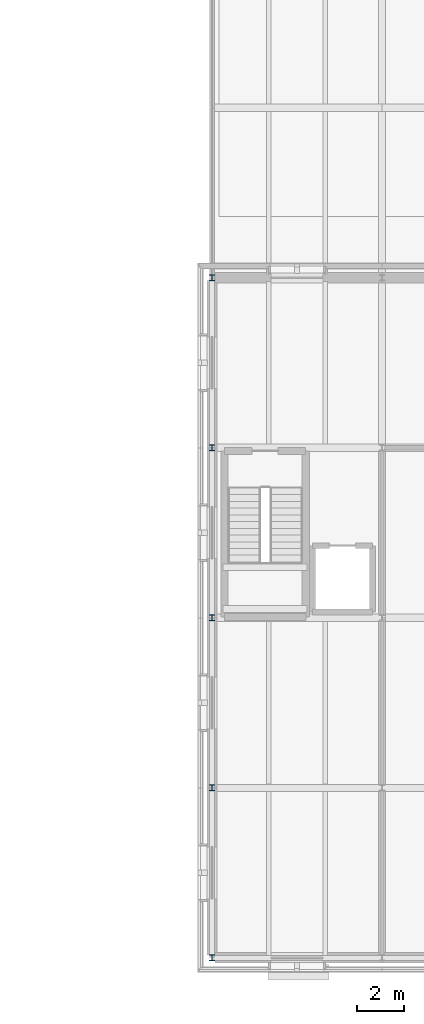
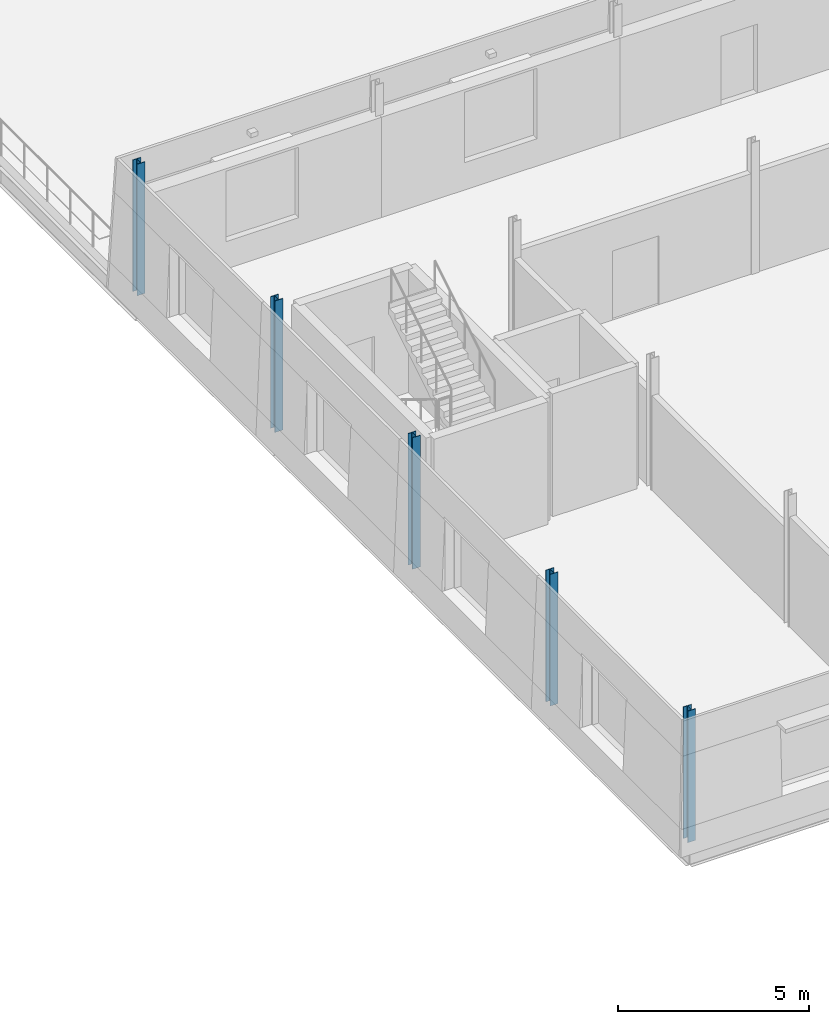
# One storey, part 4 of 115: 5 columns.
"""IFC4 building model written with IfcOpenShell, lengths in metres."""

from ifc_helpers import new_model, si_unit, direction, frame, origin, origin_2d, place, context, subcontext, project, spatial, i_section, extrude, material, material_profile, profile_set, type_object, element, save


model = new_model("IFC4")

# Units and contexts
model_context = context("Model", 3, precision=1e-05, world=origin(), true_north=direction((0.0, 1.0)))
body_context = subcontext(model_context, "Body", "Model", "MODEL_VIEW")
ifc_project = project(units=[si_unit("LENGTHUNIT", "METRE"), si_unit("AREAUNIT", "SQUARE_METRE"), si_unit("VOLUMEUNIT", "CUBIC_METRE"), si_unit("PLANEANGLEUNIT", "RADIAN"), si_unit("MASSUNIT", "GRAM", prefix="KILO")], contexts=[model_context])

# Site, building, storey
site_placement = place(None, origin())
site = spatial("IfcSite", under=ifc_project, at=site_placement, CompositionType="ELEMENT")
building_placement = place(site_placement, origin())
building = spatial("IfcBuilding", under=site, at=building_placement, Name="Narikvali Park Central Library", CompositionType="ELEMENT")
storey_placement = place(building_placement, frame((0.0, 0.0, 10.199951171875)))
storey = spatial("IfcBuildingStorey", under=building, at=storey_placement, Name="L02", CompositionType="ELEMENT", Elevation=10.199951171875)

# Columns
ifc_material = material(Name="Steel S355", Category="steel")
ifc_material_profile = material_profile(ifc_material, i_section(OverallWidth=0.239990234375, OverallDepth=0.239990234375, WebThickness=0.010009765625, FlangeThickness=0.01708984375, FilletRadius=0.02099609375, at=origin_2d()), Name="HEB 240")
ifc_profile_set = profile_set([ifc_material_profile], Name="Steel S355")
column_type = type_object("IfcColumnType", Name="Steel Column HEB240", PredefinedType="COLUMN", material=ifc_profile_set)
for number, where, z_axis, x_axis, name in (
    (1, (122.39990234375, 0.0, 0.0), (0.0, 0.0, 1.0), (1.0, 0.0, 0.0), "V6 L02 Column (122.4,0.0)"),
    (2, (122.39990234375, 7.199951171875, 0.0), (0.0, 0.0, 1.0), (1.0, 0.0, 0.0), "V6 L02 Column (122.4,7.2)"),
    (3, (122.39990234375, 14.39990234375, 0.0), (0.0, 0.0, 1.0), (1.0, 0.0, 0.0), "V6 L02 Column (122.4,14.4)"),
    (4, (122.39990234375, 21.60009765625, 0.0), (0.0, 0.0, 1.0), (1.0, 0.0, 0.0), "V6 L02 Column (122.4,21.6)"),
    (5, (122.39990234375, 28.800048828125, 0.0), (0.0, 0.0, 1.0), (1.0, 0.0, 0.0), "V6 L02 Column (122.4,28.8)"),
):
    element("IfcColumn", number, at=place(storey_placement, frame(where, z_axis=z_axis, x_axis=x_axis)), inside=storey, type_object=column_type, Name=name, PredefinedType="COLUMN", context=body_context, shape_type="SweptSolid", body=[
        extrude(i_section(OverallWidth=0.239990234375, OverallDepth=0.239990234375, WebThickness=0.010009765625, FlangeThickness=0.01708984375, FilletRadius=0.02099609375, at=origin_2d()), origin(), (0.0, 0.0, 1.0), 4.199951171875),
    ])

save(model, "model.ifc")
